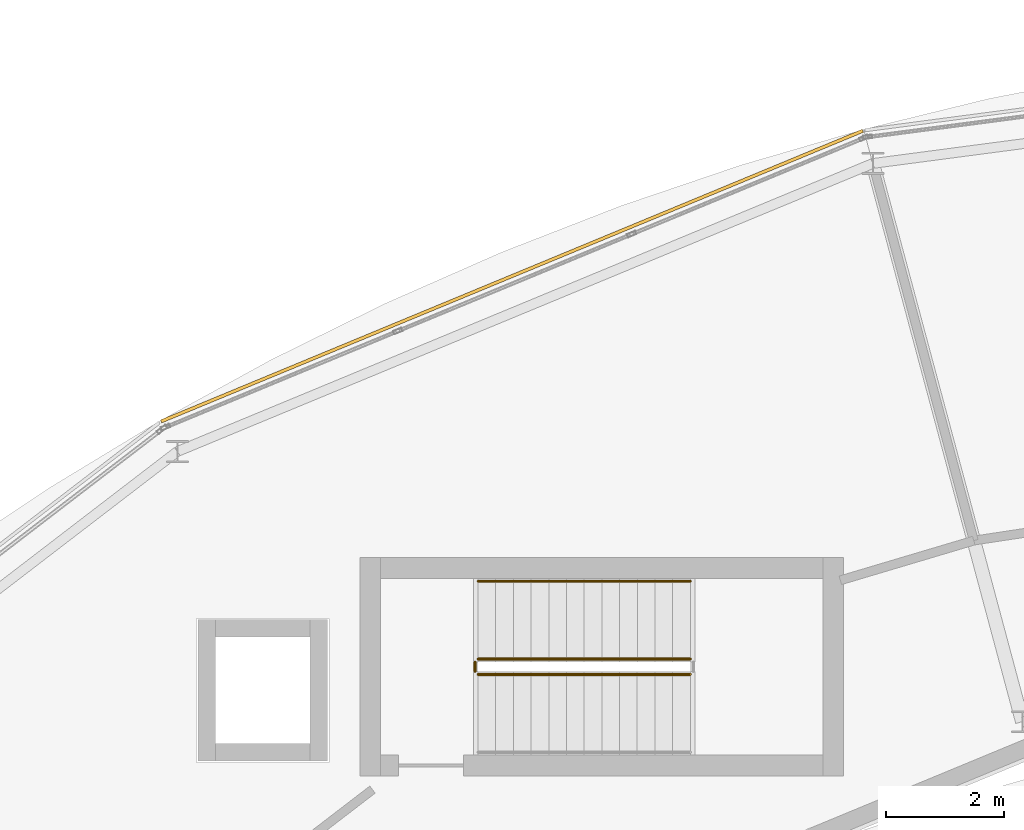
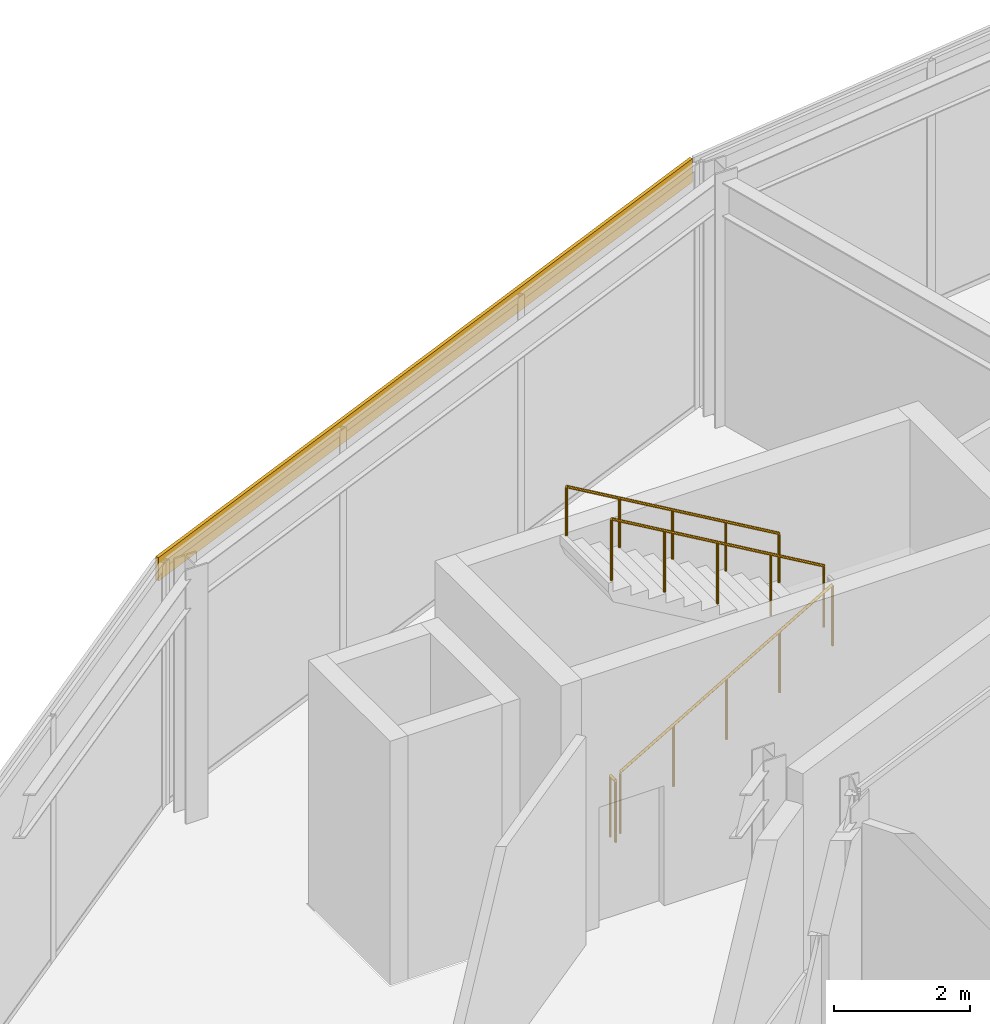
# One storey, part 146 of 157: 4 railings, 1 covering.
"""IFC4 building model written with IfcOpenShell, lengths in metres."""

from ifc_helpers import new_model, si_unit, direction, frame, origin, origin_2d, place, context, subcontext, project, spatial, rectangle, circle, extrude, material, layer, layer_set, type_object, element, save


model = new_model("IFC4")

# Units and contexts
model_context = context("Model", 3, precision=1e-05, world=origin(), true_north=direction((0.0, 1.0)))
body_context = subcontext(model_context, "Body", "Model", "MODEL_VIEW")
ifc_project = project(units=[si_unit("LENGTHUNIT", "METRE"), si_unit("AREAUNIT", "SQUARE_METRE"), si_unit("VOLUMEUNIT", "CUBIC_METRE"), si_unit("PLANEANGLEUNIT", "RADIAN"), si_unit("MASSUNIT", "GRAM", prefix="KILO")], contexts=[model_context])

# Site, building, storey
site_placement = place(None, origin())
site = spatial("IfcSite", under=ifc_project, at=site_placement, CompositionType="ELEMENT")
building_placement = place(site_placement, origin())
building = spatial("IfcBuilding", under=site, at=building_placement, Name="Almandine Court Research Institute", CompositionType="ELEMENT")
storey_placement = place(building_placement, frame((0.0, 0.0, 5.25)))
storey = spatial("IfcBuildingStorey", under=building, at=storey_placement, Name="L01", CompositionType="ELEMENT", Elevation=5.25)

# Covering
ifc_material_1 = material(Name="Extruded Cream-Ochre Seismic Terracotta Spandrel", Category="masonry")
ifc_layer = layer(ifc_material_1, 0.054931640625)
ifc_layer_set = layer_set([ifc_layer], Name="Extruded Cream-Ochre Seismic Terracotta Spandrel")
covering_type = type_object("IfcCoveringType", Name="Cov-CLAD-TERR", PredefinedType="CLADDING", material=ifc_layer_set)
covering_placement = place(storey_placement, frame((68.22607421875, 101.323974609375, 3.97998046875), z_axis=(0.0, 0.0, 1.0), x_axis=(0.923879532511, 0.382683432365, 0.0)))
element("IfcCovering", 1, at=covering_placement, inside=storey, type_object=covering_type, Name="L01 Drum Stacked Terracotta Ring Band 07", PredefinedType="CLADDING", context=body_context, shape_type="SweptSolid", body=[
    extrude(rectangle(XDim=12.8779296875, YDim=0.054931640625, at=origin_2d()), origin(), (0.0, 0.0, 1.0), 0.419921875),
])

# Railings
ifc_material_2 = material(Name="Powder-Coated Steel Stair and Atrium Balustrade", Category="steel")
railing_type_1 = type_object("IfcRailingType", Name="Rail-GUARD-INT", PredefinedType="BALUSTRADE", material=ifc_material_2)
railing_1_placement = place(storey_placement, frame((67.64990234375, 94.570068359375, 0.175048828125)))
element("IfcRailing", 2, at=railing_1_placement, inside=storey, type_object=railing_type_1, Name="L01 ST-10 stair guard 1", PredefinedType="BALUSTRADE", context=body_context, shape_type="SweptSolid", body=[
    extrude(circle(Radius=0.02392578125, at=origin_2d()), frame((0.0, 0.0, 1.09619140625), z_axis=(0.863800146258, 0.0, 0.503834603144), x_axis=(0.0, 1.0, 0.0)), (0.0, 0.0, 1.0), 4.167724609375),
    extrude(circle(Radius=0.02099609375, at=origin_2d()), origin(), (0.0, 0.0, 1.0), 1.072021484375),
    extrude(circle(Radius=0.02099609375, at=origin_2d()), frame((0.89990234375, 0.0, 0.52490234375)), (0.0, 0.0, 1.0), 1.072021484375),
    extrude(circle(Radius=0.02099609375, at=origin_2d()), frame((1.800048828125, 0.0, 1.0498046875)), (0.0, 0.0, 1.0), 1.072021484375),
    extrude(circle(Radius=0.02099609375, at=origin_2d()), frame((2.7001953125, 0.0, 1.574951171875)), (0.0, 0.0, 1.0), 1.072021484375),
    extrude(circle(Radius=0.02099609375, at=origin_2d()), frame((3.60009765625, 0.0, 2.099853515625)), (0.0, 0.0, 1.0), 1.072021484375),
])
railing_2_placement = place(storey_placement, frame((71.25, 94.830078125, 2.449951171875)))
element("IfcRailing", 3, at=railing_2_placement, inside=storey, type_object=railing_type_1, Name="L01 ST-10 stair guard 3", PredefinedType="BALUSTRADE", context=body_context, shape_type="SweptSolid", body=[
    extrude(circle(Radius=0.02392578125, at=origin_2d()), frame((0.0, 0.0, 1.09619140625), z_axis=(-0.863774651768, 0.0, 0.503878309678), x_axis=(0.0, -1.0, 0.0)), (0.0, 0.0, 1.0), 4.16796875),
    extrude(circle(Radius=0.02099609375, at=origin_2d()), origin(), (0.0, 0.0, 1.0), 1.072021484375),
    extrude(circle(Radius=0.02099609375, at=origin_2d()), frame((-0.89990234375, 0.0, 0.52490234375)), (0.0, 0.0, 1.0), 1.072021484375),
    extrude(circle(Radius=0.02099609375, at=origin_2d()), frame((-1.800048828125, 0.0, 1.050048828125)), (0.0, 0.0, 1.0), 1.072021484375),
    extrude(circle(Radius=0.02099609375, at=origin_2d()), frame((-2.7001953125, 0.0, 1.5751953125)), (0.0, 0.0, 1.0), 1.072021484375),
    extrude(circle(Radius=0.02099609375, at=origin_2d()), frame((-3.60009765625, 0.0, 2.10009765625)), (0.0, 0.0, 1.0), 1.072021484375),
])
railing_3_placement = place(storey_placement, frame((67.60009765625, 94.6201171875, 0.0)))
element("IfcRailing", 4, at=railing_3_placement, inside=storey, type_object=railing_type_1, Name="L01 ST-10 stair guard 4", PredefinedType="BALUSTRADE", context=body_context, shape_type="SweptSolid", body=[
    extrude(circle(Radius=0.02392578125, at=origin_2d()), frame((0.0, 0.0, 1.09619140625), z_axis=(0.0, 1.0, 0.0), x_axis=(-1.0, 0.0, 0.0)), (0.0, 0.0, 1.0), 0.159912109375),
    extrude(circle(Radius=0.02099609375, at=origin_2d()), origin(), (0.0, 0.0, 1.0), 1.072021484375),
    extrude(circle(Radius=0.02099609375, at=origin_2d()), frame((0.0, 0.159912109375, 0.0)), (0.0, 0.0, 1.0), 1.072021484375),
])
ifc_material_3 = material(Name="Brushed Stainless Steel Wall Handrail", Category="steel")
railing_type_2 = type_object("IfcRailingType", Name="Rail-HAND-INT", PredefinedType="HANDRAIL", material=ifc_material_3)
railing_4_placement = place(storey_placement, frame((71.25, 96.14990234375, 2.449951171875)))
element("IfcRailing", 5, at=railing_4_placement, inside=storey, type_object=railing_type_2, Name="L01 ST-10 stair handrail 2", PredefinedType="HANDRAIL", context=body_context, shape_type="SweptSolid", body=[
    extrude(circle(Radius=0.02392578125, at=origin_2d()), frame((0.0, 0.0, 0.8759765625), z_axis=(-0.863774651768, 0.0, 0.503878309678), x_axis=(0.0, -1.0, 0.0)), (0.0, 0.0, 1.0), 4.16796875),
    extrude(circle(Radius=0.02099609375, at=origin_2d()), origin(), (0.0, 0.0, 1.0), 0.851806640625),
    extrude(circle(Radius=0.02099609375, at=origin_2d()), frame((-0.89990234375, 0.0, 0.52490234375)), (0.0, 0.0, 1.0), 0.851806640625),
    extrude(circle(Radius=0.02099609375, at=origin_2d()), frame((-1.800048828125, 0.0, 1.050048828125)), (0.0, 0.0, 1.0), 0.851806640625),
    extrude(circle(Radius=0.02099609375, at=origin_2d()), frame((-2.7001953125, 0.0, 1.5751953125)), (0.0, 0.0, 1.0), 0.851806640625),
    extrude(circle(Radius=0.02099609375, at=origin_2d()), frame((-3.60009765625, 0.0, 2.10009765625)), (0.0, 0.0, 1.0), 0.851806640625),
])

save(model, "model.ifc")
